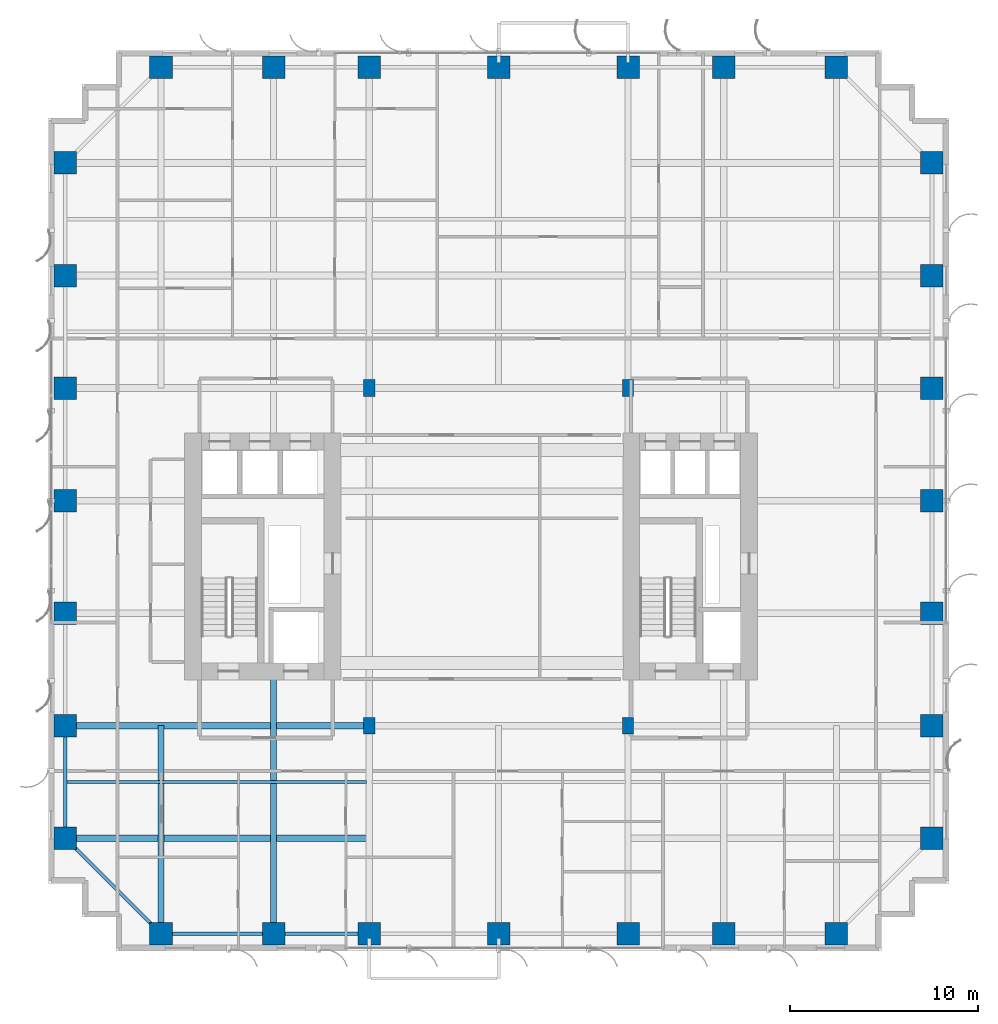
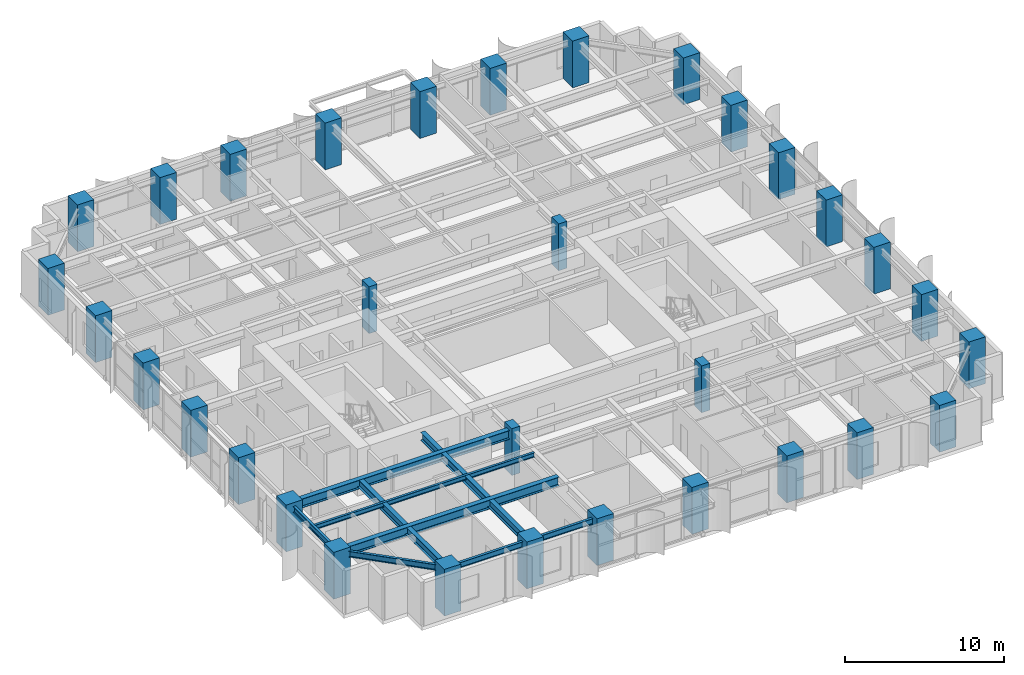
# One storey, part 1 of 25: 32 columns, 9 beams.
"""IFC4 building model written with IfcOpenShell, lengths in metres."""

from ifc_helpers import new_model, si_unit, direction, frame, origin, origin_2d, place, context, subcontext, project, spatial, rectangle, i_section, extrude, source, transform, mapped, material, material_profile, profile_set, type_object, element, save


model = new_model("IFC4")

# Units and contexts
model_context = context("Model", 3, precision=1e-05, world=origin(), true_north=direction((0.0, 1.0)))
body_context = subcontext(model_context, "Body", "Model", "MODEL_VIEW")
ifc_project = project(units=[si_unit("LENGTHUNIT", "METRE"), si_unit("AREAUNIT", "SQUARE_METRE"), si_unit("VOLUMEUNIT", "CUBIC_METRE"), si_unit("PLANEANGLEUNIT", "RADIAN"), si_unit("MASSUNIT", "GRAM", prefix="KILO")], contexts=[model_context])

# Site, building, storey
site_placement = place(None, origin())
site = spatial("IfcSite", under=ifc_project, at=site_placement, CompositionType="ELEMENT")
building_placement = place(site_placement, origin())
building = spatial("IfcBuilding", under=site, at=building_placement, Name="Khoralis Quay Care Tower", CompositionType="ELEMENT")
storey_placement = place(building_placement, frame((0.0, 0.0, 65.699951171875)))
storey = spatial("IfcBuildingStorey", under=building, at=storey_placement, Name="L17", CompositionType="ELEMENT", Elevation=65.699951171875)

# Columns
ifc_material_1 = material(Name="Concrete C80/95", Category="concrete")
ifc_material_profile_1 = material_profile(ifc_material_1, rectangle(XDim=1.199951171875, YDim=1.199951171875, at=origin_2d()), Name="Concrete C80/95")
ifc_profile_set_1 = profile_set([ifc_material_profile_1], Name="Concrete C80/95")
column_type_1 = type_object("IfcColumnType", Name="COL-C1200", PredefinedType="COLUMN", material=ifc_profile_set_1)
shared_shape_1 = source(origin(), body_context, "Body", "SweptSolid", [
    extrude(rectangle(XDim=1.199951171875, YDim=1.199951171875, at=origin_2d()), origin(), (0.0, 0.0, 1.0), 3.60009765625),
])
for number, where, z_axis, x_axis, name in (
    (1, (6.0, 0.89990234375, 0.0), (0.0, 0.0, 1.0), (1.0, 0.0, 0.0), "COL-TWR-L17-01"),
    (2, (6.0, 47.10009765625, 0.0), (0.0, 0.0, 1.0), (1.0, 0.0, 0.0), "COL-TWR-L17-02"),
    (3, (12.0, 0.89990234375, 0.0), (0.0, 0.0, 1.0), (1.0, 0.0, 0.0), "COL-TWR-L17-03"),
    (4, (12.0, 47.10009765625, 0.0), (0.0, 0.0, 1.0), (1.0, 0.0, 0.0), "COL-TWR-L17-04"),
    (5, (17.10009765625, 0.89990234375, 0.0), (0.0, 0.0, 1.0), (1.0, 0.0, 0.0), "COL-TWR-L17-05"),
    (6, (17.10009765625, 47.10009765625, 0.0), (0.0, 0.0, 1.0), (1.0, 0.0, 0.0), "COL-TWR-L17-06"),
    (7, (24.0, 0.89990234375, 0.0), (0.0, 0.0, 1.0), (1.0, 0.0, 0.0), "COL-TWR-L17-07"),
    (8, (24.0, 47.10009765625, 0.0), (0.0, 0.0, 1.0), (1.0, 0.0, 0.0), "COL-TWR-L17-08"),
    (9, (30.89990234375, 0.89990234375, 0.0), (0.0, 0.0, 1.0), (1.0, 0.0, 0.0), "COL-TWR-L17-09"),
    (10, (30.89990234375, 47.10009765625, 0.0), (0.0, 0.0, 1.0), (1.0, 0.0, 0.0), "COL-TWR-L17-10"),
    (11, (36.0, 0.89990234375, 0.0), (0.0, 0.0, 1.0), (1.0, 0.0, 0.0), "COL-TWR-L17-11"),
    (12, (36.0, 47.10009765625, 0.0), (0.0, 0.0, 1.0), (1.0, 0.0, 0.0), "COL-TWR-L17-12"),
    (13, (42.0, 0.89990234375, 0.0), (0.0, 0.0, 1.0), (1.0, 0.0, 0.0), "COL-TWR-L17-13"),
    (14, (42.0, 47.10009765625, 0.0), (0.0, 0.0, 1.0), (1.0, 0.0, 0.0), "COL-TWR-L17-14"),
    (15, (0.89990234375, 6.0, 0.0), (0.0, 0.0, 1.0), (1.0, 0.0, 0.0), "COL-TWR-L17-15"),
    (16, (47.10009765625, 6.0, 0.0), (0.0, 0.0, 1.0), (1.0, 0.0, 0.0), "COL-TWR-L17-16"),
    (17, (0.89990234375, 12.0, 0.0), (0.0, 0.0, 1.0), (1.0, 0.0, 0.0), "COL-TWR-L17-17"),
    (18, (47.10009765625, 12.0, 0.0), (0.0, 0.0, 1.0), (1.0, 0.0, 0.0), "COL-TWR-L17-18"),
    (19, (0.89990234375, 18.0, 0.0), (0.0, 0.0, 1.0), (1.0, 0.0, 0.0), "COL-TWR-L17-19"),
    (20, (47.10009765625, 18.0, 0.0), (0.0, 0.0, 1.0), (1.0, 0.0, 0.0), "COL-TWR-L17-20"),
    (21, (0.89990234375, 24.0, 0.0), (0.0, 0.0, 1.0), (1.0, 0.0, 0.0), "COL-TWR-L17-21"),
    (22, (47.10009765625, 24.0, 0.0), (0.0, 0.0, 1.0), (1.0, 0.0, 0.0), "COL-TWR-L17-22"),
    (23, (0.89990234375, 30.0, 0.0), (0.0, 0.0, 1.0), (1.0, 0.0, 0.0), "COL-TWR-L17-23"),
    (24, (47.10009765625, 30.0, 0.0), (0.0, 0.0, 1.0), (1.0, 0.0, 0.0), "COL-TWR-L17-24"),
    (25, (0.89990234375, 36.0, 0.0), (0.0, 0.0, 1.0), (1.0, 0.0, 0.0), "COL-TWR-L17-25"),
    (26, (47.10009765625, 36.0, 0.0), (0.0, 0.0, 1.0), (1.0, 0.0, 0.0), "COL-TWR-L17-26"),
    (27, (0.89990234375, 42.0, 0.0), (0.0, 0.0, 1.0), (1.0, 0.0, 0.0), "COL-TWR-L17-27"),
    (28, (47.10009765625, 42.0, 0.0), (0.0, 0.0, 1.0), (1.0, 0.0, 0.0), "COL-TWR-L17-28"),
):
    element("IfcColumn", number, at=place(storey_placement, frame(where, z_axis=z_axis, x_axis=x_axis)), inside=storey, type_object=column_type_1, Name=name, PredefinedType="COLUMN", context=body_context, shape_type="MappedRepresentation", body=[
        mapped(shared_shape_1, transform((0.0, 0.0, 0.0), scale=1.0)),
    ])
ifc_material_2 = material(Name="Concrete C65/80", Category="concrete")
ifc_material_profile_2 = material_profile(ifc_material_2, rectangle(XDim=0.60009765625, YDim=0.89990234375, at=origin_2d()), Name="Concrete C65/80")
ifc_profile_set_2 = profile_set([ifc_material_profile_2], Name="Concrete C65/80")
column_type_2 = type_object("IfcColumnType", Name="COL-C600X900", PredefinedType="COLUMN", material=ifc_profile_set_2)
shared_shape_2 = source(origin(), body_context, "Body", "SweptSolid", [
    extrude(rectangle(XDim=0.60009765625, YDim=0.89990234375, at=origin_2d()), origin(), (0.0, 0.0, 1.0), 3.60009765625),
])
for number, where, z_axis, x_axis, name in (
    (29, (17.10009765625, 12.0, 0.0), (0.0, 0.0, 1.0), (1.0, 0.0, 0.0), "COL-TWR-L17-29"),
    (30, (17.10009765625, 30.0, 0.0), (0.0, 0.0, 1.0), (1.0, 0.0, 0.0), "COL-TWR-L17-30"),
    (31, (30.89990234375, 12.0, 0.0), (0.0, 0.0, 1.0), (1.0, 0.0, 0.0), "COL-TWR-L17-31"),
    (32, (30.89990234375, 30.0, 0.0), (0.0, 0.0, 1.0), (1.0, 0.0, 0.0), "COL-TWR-L17-32"),
):
    element("IfcColumn", number, at=place(storey_placement, frame(where, z_axis=z_axis, x_axis=x_axis)), inside=storey, type_object=column_type_2, Name=name, PredefinedType="COLUMN", context=body_context, shape_type="MappedRepresentation", body=[
        mapped(shared_shape_2, transform((0.0, 0.0, 0.0), scale=1.0)),
    ])

# Beams
ifc_material_3 = material(Name="Steel S355", Category="steel")
ifc_material_profile_3 = material_profile(ifc_material_3, i_section(OverallWidth=0.18994140625, OverallDepth=0.449951171875, WebThickness=0.009521484375, FlangeThickness=0.0146484375, FilletRadius=0.02099609375, at=origin_2d()), Name="Steel S355")
ifc_profile_set_3 = profile_set([ifc_material_profile_3], Name="Steel S355")
beam_type_1 = type_object("IfcBeamType", Name="BM-IPE450", PredefinedType="SPANDREL", material=ifc_profile_set_3)
shared_shape_3 = source(origin(), body_context, "Body", "SweptSolid", [
    extrude(i_section(OverallWidth=0.18994140625, OverallDepth=0.449951171875, WebThickness=0.009521484375, FlangeThickness=0.0146484375, FilletRadius=0.02099609375, at=origin_2d()), origin(), (0.0, 0.0, 1.0), 6.0),
])
for number, where, z_axis, x_axis, name in (
    (33, (6.0, 0.89990234375, 3.094970703125), (1.0, 0.0, 0.0), (0.0, 1.0, 0.0), "BM-TSP-L17-01"),
    (34, (0.89990234375, 6.0, 3.094970703125), (0.0, 1.0, 0.0), (-1.0, 0.0, 0.0), "BM-TSP-L17-13"),
):
    element("IfcBeam", number, at=place(storey_placement, frame(where, z_axis=z_axis, x_axis=x_axis)), inside=storey, type_object=beam_type_1, Name=name, PredefinedType="SPANDREL", context=body_context, shape_type="MappedRepresentation", body=[
        mapped(shared_shape_3, transform((0.0, 0.0, 0.0), scale=1.0)),
    ])
shared_shape_4 = source(origin(), body_context, "Body", "SweptSolid", [
    extrude(i_section(OverallWidth=0.18994140625, OverallDepth=0.449951171875, WebThickness=0.009521484375, FlangeThickness=0.0146484375, FilletRadius=0.02099609375, at=origin_2d()), origin(), (0.0, 0.0, 1.0), 5.10009765625),
])
beam_1_placement = place(storey_placement, frame((12.0, 0.89990234375, 3.094970703125), z_axis=(1.0, 0.0, 0.0), x_axis=(0.0, 1.0, 0.0)))
element("IfcBeam", 35, at=beam_1_placement, inside=storey, type_object=beam_type_1, Name="BM-TSP-L17-02", PredefinedType="SPANDREL", context=body_context, shape_type="MappedRepresentation", body=[
    mapped(shared_shape_4, transform((0.0, 0.0, 0.0), scale=1.0)),
])
shared_shape_5 = source(origin(), body_context, "Body", "SweptSolid", [
    extrude(i_section(OverallWidth=0.18994140625, OverallDepth=0.449951171875, WebThickness=0.009521484375, FlangeThickness=0.0146484375, FilletRadius=0.02099609375, at=origin_2d()), origin(), (0.0, 0.0, 1.0), 7.212646484375),
])
beam_2_placement = place(storey_placement, frame((6.0, 0.89990234375, 3.094970703125), z_axis=(-0.707106781187, 0.707106781187, 0.0), x_axis=(-0.707106781187, -0.707106781187, 0.0)))
element("IfcBeam", 36, at=beam_2_placement, inside=storey, type_object=beam_type_1, Name="BM-TCR-L17-25", PredefinedType="SPANDREL", context=body_context, shape_type="MappedRepresentation", body=[
    mapped(shared_shape_5, transform((0.0, 0.0, 0.0), scale=1.0)),
])
ifc_material_profile_4 = material_profile(ifc_material_3, i_section(OverallWidth=0.35498046875, OverallDepth=0.695068359375, WebThickness=0.015380859375, FlangeThickness=0.02490234375, FilletRadius=0.02001953125, at=origin_2d()), Name="Steel S355")
ifc_profile_set_4 = profile_set([ifc_material_profile_4], Name="Steel S355")
beam_type_2 = type_object("IfcBeamType", Name="BM-W690X217", PredefinedType="BEAM", material=ifc_profile_set_4)
shared_shape_6 = source(origin(), body_context, "Body", "SweptSolid", [
    extrude(i_section(OverallWidth=0.35498046875, OverallDepth=0.695068359375, WebThickness=0.015380859375, FlangeThickness=0.02490234375, FilletRadius=0.02001953125, at=origin_2d()), origin(), (0.0, 0.0, 1.0), 16.049560546875),
])
beam_3_placement = place(storey_placement, frame((0.89990234375, 6.0, 2.97265625), z_axis=(1.0, 0.0, 0.0), x_axis=(0.0, 1.0, 0.0)))
element("IfcBeam", 37, at=beam_3_placement, inside=storey, type_object=beam_type_2, Name="BM-TGXW-L17-60", PredefinedType="BEAM", context=body_context, shape_type="MappedRepresentation", body=[
    mapped(shared_shape_6, transform((0.0, 0.0, 0.0), scale=1.0)),
])
shared_shape_7 = source(origin(), body_context, "Body", "SweptSolid", [
    extrude(i_section(OverallWidth=0.35498046875, OverallDepth=0.695068359375, WebThickness=0.015380859375, FlangeThickness=0.02490234375, FilletRadius=0.02001953125, at=origin_2d()), origin(), (0.0, 0.0, 1.0), 16.2001953125),
])
beam_4_placement = place(storey_placement, frame((0.89990234375, 12.0, 2.97265625), z_axis=(1.0, 0.0, 0.0), x_axis=(0.0, 1.0, 0.0)))
element("IfcBeam", 38, at=beam_4_placement, inside=storey, type_object=beam_type_2, Name="BM-TGXW-L17-120", PredefinedType="BEAM", context=body_context, shape_type="MappedRepresentation", body=[
    mapped(shared_shape_7, transform((0.0, 0.0, 0.0), scale=1.0)),
])
ifc_material_profile_5 = material_profile(ifc_material_3, i_section(OverallWidth=0.324951171875, OverallDepth=0.615966796875, WebThickness=0.013916015625, FlangeThickness=0.021484375, FilletRadius=0.01806640625, at=origin_2d()), Name="Steel S355")
ifc_profile_set_5 = profile_set([ifc_material_profile_5], Name="Steel S355")
beam_type_3 = type_object("IfcBeamType", Name="BM-W610X174", PredefinedType="BEAM", material=ifc_profile_set_5)
shared_shape_8 = source(origin(), body_context, "Body", "SweptSolid", [
    extrude(i_section(OverallWidth=0.324951171875, OverallDepth=0.615966796875, WebThickness=0.013916015625, FlangeThickness=0.021484375, FilletRadius=0.01806640625, at=origin_2d()), origin(), (0.0, 0.0, 1.0), 11.10009765625),
])
beam_5_placement = place(storey_placement, frame((6.0, 0.89990234375, 3.011962890625), z_axis=(0.0, 1.0, 0.0), x_axis=(-1.0, 0.0, 0.0)))
element("IfcBeam", 39, at=beam_5_placement, inside=storey, type_object=beam_type_3, Name="BM-TGYS-L17-60", PredefinedType="BEAM", context=body_context, shape_type="MappedRepresentation", body=[
    mapped(shared_shape_8, transform((0.0, 0.0, 0.0), scale=1.0)),
])
shared_shape_9 = source(origin(), body_context, "Body", "SweptSolid", [
    extrude(i_section(OverallWidth=0.324951171875, OverallDepth=0.615966796875, WebThickness=0.013916015625, FlangeThickness=0.021484375, FilletRadius=0.01806640625, at=origin_2d()), origin(), (0.0, 0.0, 1.0), 13.552001953125),
])
beam_6_placement = place(storey_placement, frame((12.0, 0.89990234375, 3.011962890625), z_axis=(0.0, 1.0, 0.0), x_axis=(-1.0, 0.0, 0.0)))
element("IfcBeam", 40, at=beam_6_placement, inside=storey, type_object=beam_type_3, Name="BM-TGYS-L17-120", PredefinedType="BEAM", context=body_context, shape_type="MappedRepresentation", body=[
    mapped(shared_shape_9, transform((0.0, 0.0, 0.0), scale=1.0)),
])
ifc_material_profile_6 = material_profile(ifc_material_3, i_section(OverallWidth=0.1708984375, OverallDepth=0.35498046875, WebThickness=0.007080078125, FlangeThickness=0.01171875, FilletRadius=0.012939453125, at=origin_2d()), Name="Steel S355")
ifc_profile_set_6 = profile_set([ifc_material_profile_6], Name="Steel S355")
beam_type_4 = type_object("IfcBeamType", Name="BM-W360X51", PredefinedType="JOIST", material=ifc_profile_set_6)
shared_shape_10 = source(origin(), body_context, "Body", "SweptSolid", [
    extrude(i_section(OverallWidth=0.1708984375, OverallDepth=0.35498046875, WebThickness=0.007080078125, FlangeThickness=0.01171875, FilletRadius=0.012939453125, at=origin_2d()), origin(), (0.0, 0.0, 1.0), 15.968505859375),
])
beam_7_placement = place(storey_placement, frame((0.98095703125, 9.0, 3.142578125), z_axis=(1.0, 0.0, 0.0), x_axis=(0.0, 1.0, 0.0)))
element("IfcBeam", 41, at=beam_7_placement, inside=storey, type_object=beam_type_4, Name="BM-TJS-L17-29", PredefinedType="JOIST", context=body_context, shape_type="MappedRepresentation", body=[
    mapped(shared_shape_10, transform((0.0, 0.0, 0.0), scale=1.0)),
])

save(model, "model.ifc")
